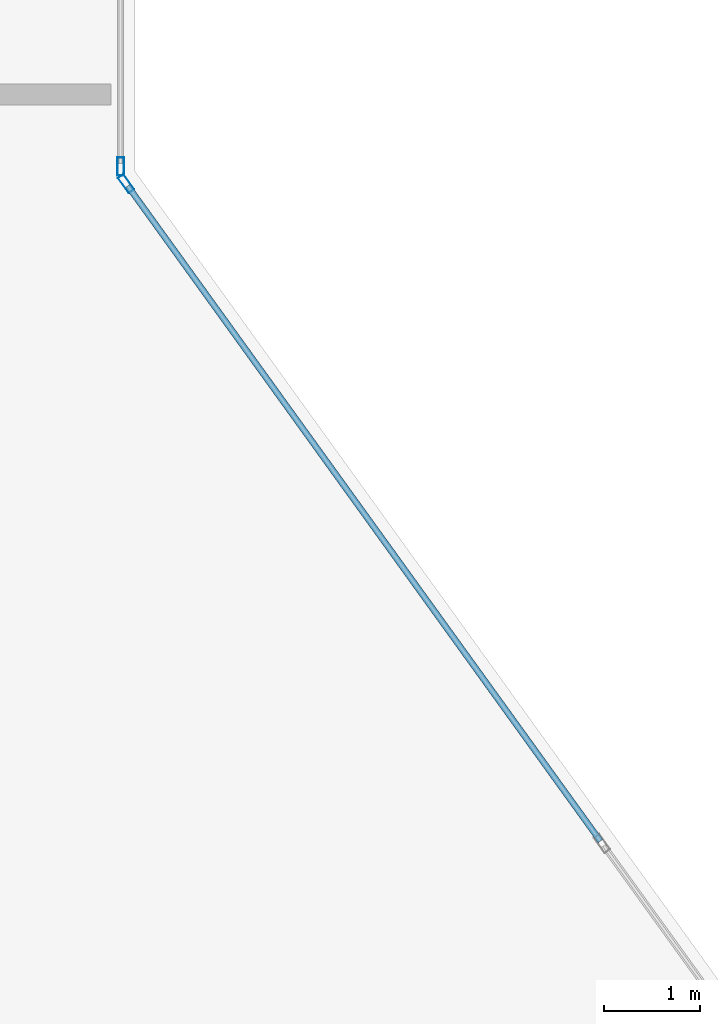
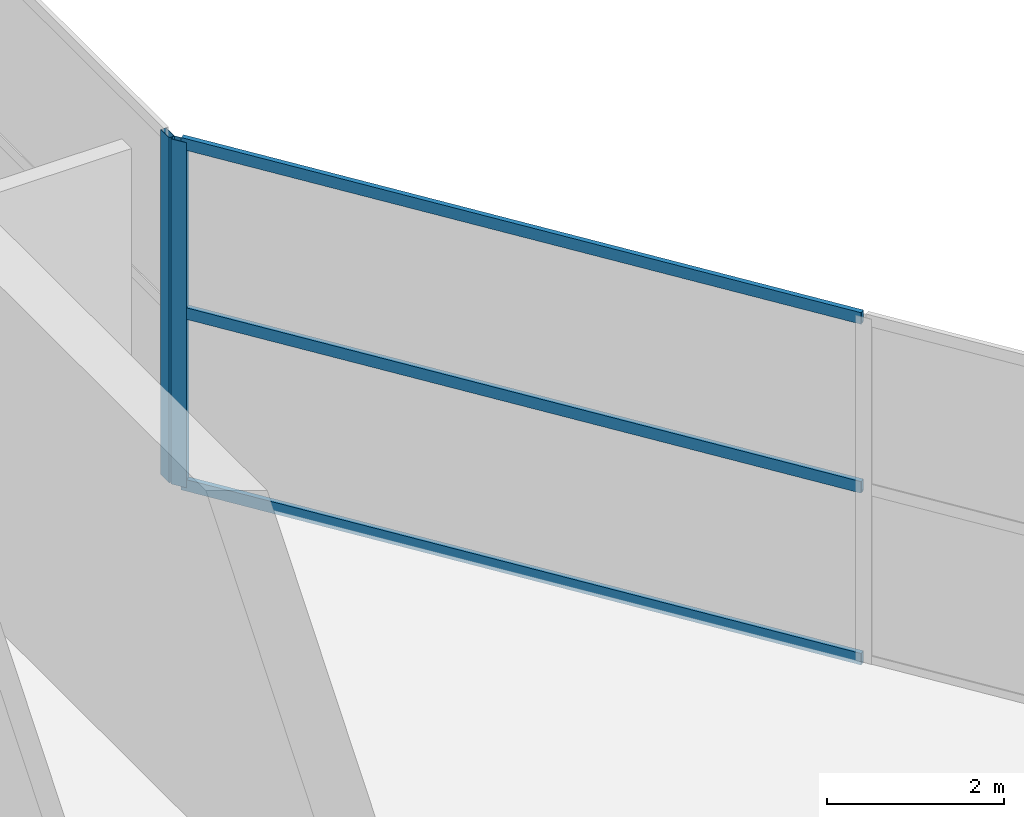
# One storey, part 16 of 21: 5 members, 2 elements without a shape of their own.
"""IFC4 building model written with IfcOpenShell, lengths in metres."""

from ifc_helpers import new_model, si_unit, direction, frame, origin, origin_2d, place, context, subcontext, project, spatial, hollow_rectangle, extrude, material, layer, layer_set, material_profile, profile_set, type_object, element, aggregate, save


model = new_model("IFC4")

# Units and contexts
model_context = context("Model", 3, precision=1e-05, world=origin(), true_north=direction((0.0, 1.0)))
body_context = subcontext(model_context, "Body", "Model", "MODEL_VIEW")
ifc_project = project(units=[si_unit("LENGTHUNIT", "METRE"), si_unit("AREAUNIT", "SQUARE_METRE"), si_unit("VOLUMEUNIT", "CUBIC_METRE"), si_unit("PLANEANGLEUNIT", "RADIAN"), si_unit("MASSUNIT", "GRAM", prefix="KILO")], contexts=[model_context])

# Site, building, storey
site_placement = place(None, origin())
site = spatial("IfcSite", under=ifc_project, at=site_placement, CompositionType="ELEMENT")
building_placement = place(site_placement, origin())
building = spatial("IfcBuilding", under=site, at=building_placement, Name="Calvorn Quay Hotel", CompositionType="ELEMENT")
storey_placement = place(building_placement, frame((0.0, 0.0, 330.5)))
storey = spatial("IfcBuildingStorey", under=building, at=storey_placement, Name="L81", CompositionType="ELEMENT", Elevation=330.5)

# Curtain wall, member
ifc_material_1 = material(Name="Pale Anodised Aluminium and Laminated Glass", Category="aluminium")
ifc_layer = layer(ifc_material_1, 0.219970703125)
ifc_layer_set = layer_set([ifc_layer], Name="CW-SYS-CRN")
curtain_wall_type = type_object("IfcCurtainWallType", Name="CW-SYS-CRN", PredefinedType="NOTDEFINED", material=ifc_layer_set)
curtain_wall_1_placement = place(storey_placement, origin())
curtain_wall_1 = element("IfcCurtainWall", 1, at=curtain_wall_1_placement, inside=storey, type_object=curtain_wall_type, Name="Crown Curtain Wall L81-C3", PredefinedType="NOTDEFINED")
ifc_material_2 = material(Name="Pale Anodised Aluminium 6063-T6", Category="aluminium")
ifc_material_profile_1 = material_profile(ifc_material_2, hollow_rectangle(XDim=0.072021484375, YDim=0.195068359375, WallThickness=0.00390625, at=origin_2d()), Name="ALU-M195x72x4")
ifc_profile_set_1 = profile_set([ifc_material_profile_1], Name="Pale Anodised Aluminium 6063-T6")
member_type_1 = type_object("IfcMemberType", Name="CW-SYS-CRN-MUL", PredefinedType="MULLION", material=ifc_profile_set_1)
member_1_placement = place(storey_placement, frame((17.907470703125, 38.271728515625, 0.0), z_axis=(0.0, 0.0, 1.0), x_axis=(-0.81101368413, -0.585027182405, 0.0)))
member_1 = element("IfcMember", 2, at=member_1_placement, type_object=member_type_1, Name="CW-L81-C3 mullion 3", PredefinedType="MULLION", context=body_context, shape_type="SweptSolid", body=[
    extrude(hollow_rectangle(XDim=0.072021484375, YDim=0.195068359375, WallThickness=0.00390625, at=origin_2d()), origin(), (0.0, 0.0, 1.0), 4.760009765625),
])

curtain_wall_2_placement = place(storey_placement, origin())
curtain_wall_2 = element("IfcCurtainWall", 3, at=curtain_wall_2_placement, inside=storey, type_object=curtain_wall_type, Name="Crown Curtain Wall L81-C4", PredefinedType="NOTDEFINED")
member_2_placement = place(storey_placement, frame((17.85009765625, 38.449951171875, 0.0), z_axis=(0.0, 0.0, 1.0), x_axis=(-1.0, 0.0, 0.0)))
member_2 = element("IfcMember", 4, at=member_2_placement, type_object=member_type_1, Name="CW-L81-C4 mullion 1", PredefinedType="MULLION", context=body_context, shape_type="SweptSolid", body=[
    extrude(hollow_rectangle(XDim=0.072021484375, YDim=0.195068359375, WallThickness=0.00390625, at=origin_2d()), origin(), (0.0, 0.0, 1.0), 4.760009765625),
])
aggregate(curtain_wall_2, [member_2])

# Member
ifc_material_3 = material(Name="Pale Anodised Aluminium 6063-T6", Category="aluminium")
ifc_material_profile_2 = material_profile(ifc_material_3, hollow_rectangle(XDim=0.06201171875, YDim=0.159912109375, WallThickness=0.00341796875, at=origin_2d()), Name="ALU-T160x62x3.5")
ifc_profile_set_2 = profile_set([ifc_material_profile_2], Name="Pale Anodised Aluminium 6063-T6")
member_type_2 = type_object("IfcMemberType", Name="CW-SYS-CRN-TRN", PredefinedType="USERDEFINED", material=ifc_profile_set_2)
member_3_placement = place(storey_placement, frame((22.85205078125, 31.417236328125, 0.030029296875), z_axis=(-0.585035333679, 0.811007804122, 0.0), x_axis=(-0.811007804122, -0.585035333679, 0.0)))
member_3 = element("IfcMember", 5, at=member_3_placement, type_object=member_type_2, Name="CW-L81-C3 transom 2.1", ObjectType="TRANSOM", PredefinedType="USERDEFINED", context=body_context, shape_type="SweptSolid", body=[
    extrude(hollow_rectangle(XDim=0.06201171875, YDim=0.159912109375, WallThickness=0.00341796875, at=origin_2d()), origin(), (0.0, 0.0, 1.0), 8.421630859375),
])

member_4_placement = place(storey_placement, frame((22.85205078125, 31.417236328125, 2.39990234375), z_axis=(-0.585035333679, 0.811007804122, 0.0), x_axis=(-0.811007804122, -0.585035333679, 0.0)))
member_4 = element("IfcMember", 6, at=member_4_placement, type_object=member_type_2, Name="CW-L81-C3 transom 2.2", ObjectType="TRANSOM", PredefinedType="USERDEFINED", context=body_context, shape_type="SweptSolid", body=[
    extrude(hollow_rectangle(XDim=0.06201171875, YDim=0.159912109375, WallThickness=0.00341796875, at=origin_2d()), origin(), (0.0, 0.0, 1.0), 8.421630859375),
])

member_5_placement = place(storey_placement, frame((22.85205078125, 31.417236328125, 4.72998046875), z_axis=(-0.585035333679, 0.811007804122, 0.0), x_axis=(-0.811007804122, -0.585035333679, 0.0)))
member_5 = element("IfcMember", 7, at=member_5_placement, type_object=member_type_2, Name="CW-L81-C3 transom 2.3", ObjectType="TRANSOM", PredefinedType="USERDEFINED", context=body_context, shape_type="SweptSolid", body=[
    extrude(hollow_rectangle(XDim=0.06201171875, YDim=0.159912109375, WallThickness=0.00341796875, at=origin_2d()), origin(), (0.0, 0.0, 1.0), 8.421630859375),
])

aggregate(curtain_wall_1, [member_1, member_3, member_4, member_5])

save(model, "model.ifc")
